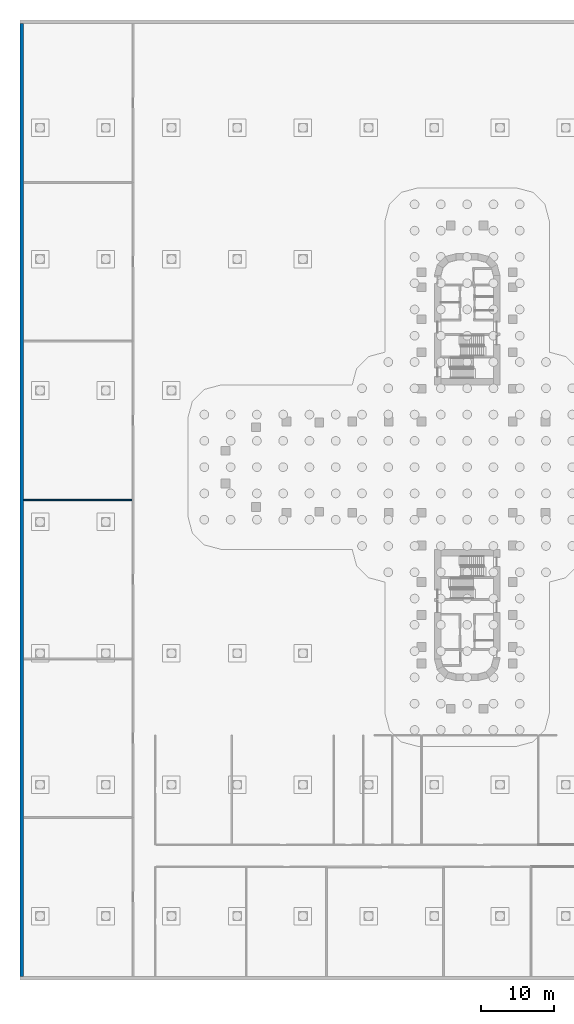
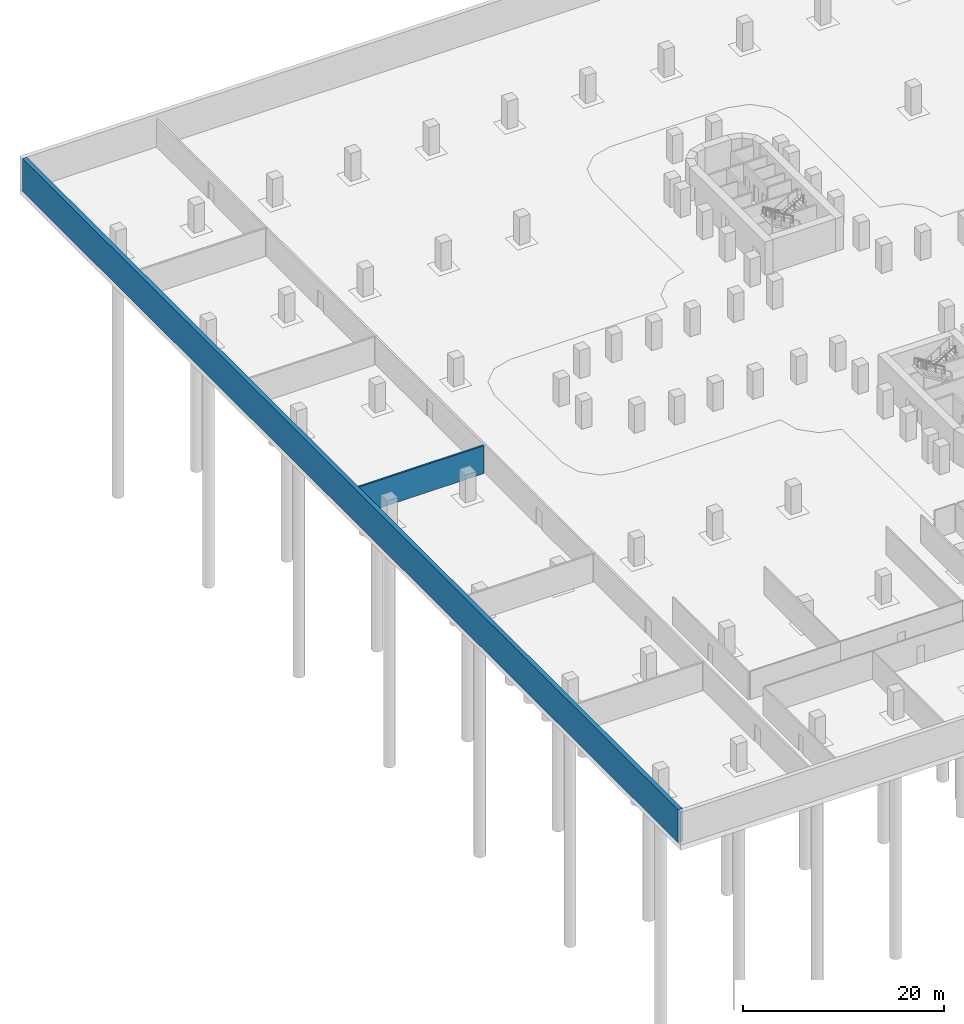
# One storey, part 9 of 14: 2 walls.
"""IFC4 building model written with IfcOpenShell, lengths in metres."""

from ifc_helpers import new_model, si_unit, direction, frame, frame_2d, origin, place, context, subcontext, project, spatial, rectangle, extrude, material, layer, layer_set, type_object, element, save


model = new_model("IFC4")

# Units and contexts
model_context = context("Model", 3, precision=1e-05, world=origin(), true_north=direction((0.0, 1.0)))
body_context = subcontext(model_context, "Body", "Model", "MODEL_VIEW")
ifc_project = project(units=[si_unit("LENGTHUNIT", "METRE"), si_unit("AREAUNIT", "SQUARE_METRE"), si_unit("VOLUMEUNIT", "CUBIC_METRE"), si_unit("PLANEANGLEUNIT", "RADIAN"), si_unit("MASSUNIT", "GRAM", prefix="KILO")], contexts=[model_context])

# Site, building, storey
site_placement = place(None, origin())
site = spatial("IfcSite", under=ifc_project, at=site_placement, CompositionType="ELEMENT")
building_placement = place(site_placement, origin())
building = spatial("IfcBuilding", under=site, at=building_placement, Name="Zarbagh Exchange Tower", CompositionType="ELEMENT")
storey_placement = place(building_placement, frame((0.0, 0.0, -8.0)))
storey = spatial("IfcBuildingStorey", under=building, at=storey_placement, Name="B2", CompositionType="ELEMENT", Elevation=-8.0)

# Walls
ifc_material_1 = material(Name="Concrete block partition", Category="concrete")
ifc_layer_1 = layer(ifc_material_1, 0.199951171875)
ifc_layer_set_1 = layer_set([ifc_layer_1], Name="Fire-rated block partition 200 EI 120")
wall_type_1 = type_object("IfcWallType", Name="Fire-rated block partition 200 EI 120", PredefinedType="PARTITIONING", material=ifc_layer_set_1)
wall_1_placement = place(storey_placement, frame((-60.75, -4.5, 0.0), z_axis=(0.0, 0.0, 1.0), x_axis=(1.0, 0.0, 0.0)))
element("IfcWall", 1, at=wall_1_placement, inside=storey, type_object=wall_type_1, Name="WL-B2-W011", PredefinedType="PARTITIONING", context=body_context, shape_type="SweptSolid", body=[
    extrude(rectangle(XDim=14.800048828125, YDim=0.199951171875, at=frame_2d((7.39990234375, 0.0))), origin(), (0.0, 0.0, 1.0), 3.39990234375),
])
ifc_material_2 = material(Name="Concrete C40/50", Category="concrete")
ifc_layer_2 = layer(ifc_material_2, 0.5)
ifc_layer_set_2 = layer_set([ifc_layer_2], Name="RC basement retaining wall 500 C40/50")
wall_type_2 = type_object("IfcWallType", Name="RC basement retaining wall 500 C40/50", PredefinedType="SOLIDWALL", material=ifc_layer_set_2)
wall_2_placement = place(storey_placement, frame((-61.0, -69.75, 0.0), z_axis=(0.0, 0.0, 1.0), x_axis=(0.0, 1.0, 0.0)))
element("IfcWall", 2, at=wall_2_placement, inside=storey, type_object=wall_type_2, Name="CW12 basement", PredefinedType="SOLIDWALL", context=body_context, shape_type="SweptSolid", body=[
    extrude(rectangle(XDim=130.5, YDim=0.5, at=frame_2d((65.25, 0.0))), origin(), (0.0, 0.0, 1.0), 4.0),
])

save(model, "model.ifc")
